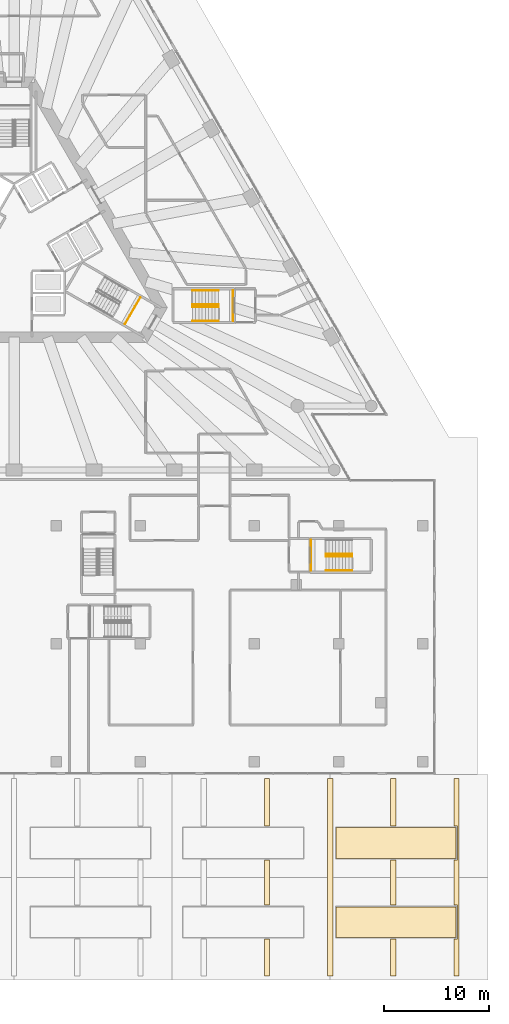
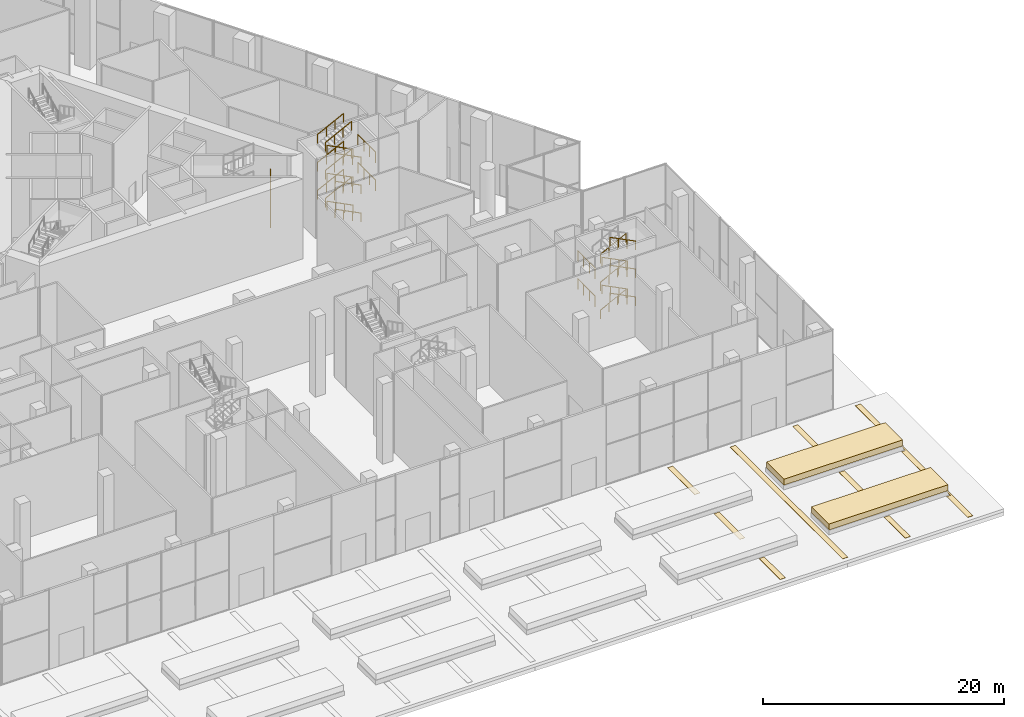
# One storey, part 39 of 41: 26 railings, 10 coverings, 3 elements without a shape of their own.
"""IFC4 building model written with IfcOpenShell, lengths in metres."""

from ifc_helpers import new_model, si_unit, direction, frame, origin, origin_2d, place, context, subcontext, project, spatial, polyline, circle, outline, extrude, material, layer, layer_set, type_object, element, aggregate, save


model = new_model("IFC4")

# Units and contexts
model_context = context("Model", 3, precision=1e-05, world=origin(), true_north=direction((0.0, 1.0)))
body_context = subcontext(model_context, "Body", "Model", "MODEL_VIEW")
ifc_project = project(units=[si_unit("LENGTHUNIT", "METRE"), si_unit("AREAUNIT", "SQUARE_METRE"), si_unit("VOLUMEUNIT", "CUBIC_METRE"), si_unit("PLANEANGLEUNIT", "RADIAN"), si_unit("MASSUNIT", "GRAM", prefix="KILO")], contexts=[model_context])

# Site, building, storey
site_placement = place(None, origin())
site = spatial("IfcSite", under=ifc_project, at=site_placement, CompositionType="ELEMENT")
building_placement = place(site_placement, origin())
building = spatial("IfcBuilding", under=site, at=building_placement, Name="Triada Interchange Tower", CompositionType="ELEMENT")
storey_placement = place(building_placement, origin())
storey = spatial("IfcBuildingStorey", under=building, at=storey_placement, Name="L00", CompositionType="ELEMENT", Elevation=0.0)

# Coverings
ifc_material_1 = material(Name="Concrete paving band", Category="concrete")
ifc_layer_1 = layer(ifc_material_1, 0.02001953125)
ifc_layer_set_1 = layer_set([ifc_layer_1], Name="Paving band 20")
covering_type_1 = type_object("IfcCoveringType", Name="Paving band 20", PredefinedType="FLOORING", material=ifc_layer_set_1)
covering_1_placement = place(storey_placement, origin())
element("IfcCovering", 1, at=covering_1_placement, inside=storey, type_object=covering_type_1, Name="Plaza paving band 28", PredefinedType="FLOORING", context=body_context, shape_type="SweptSolid", body=[
    extrude(outline(polyline([(24.25, -66.10009765625), (23.75, -66.10009765625), (23.75, -69.60009765625), (24.25, -69.60009765625), (24.25, -66.10009765625)])), origin(), (0.0, 0.0, 1.0), 0.02001953125),
])
covering_2_placement = place(storey_placement, origin())
element("IfcCovering", 2, at=covering_2_placement, inside=storey, type_object=covering_type_1, Name="Plaza paving band 29", PredefinedType="FLOORING", context=body_context, shape_type="SweptSolid", body=[
    extrude(outline(polyline([(24.25, -58.60009765625), (23.75, -58.60009765625), (23.75, -62.89990234375), (24.25, -62.89990234375), (24.25, -58.60009765625)])), origin(), (0.0, 0.0, 1.0), 0.02001953125),
])
covering_3_placement = place(storey_placement, origin())
element("IfcCovering", 3, at=covering_3_placement, inside=storey, type_object=covering_type_1, Name="Plaza paving band 30", PredefinedType="FLOORING", context=body_context, shape_type="SweptSolid", body=[
    extrude(outline(polyline([(23.75, -55.39990234375), (24.25, -55.39990234375), (24.25, -50.89990234375), (23.75, -50.89990234375), (23.75, -55.39990234375)])), origin(), (0.0, 0.0, 1.0), 0.02001953125),
])
covering_4_placement = place(storey_placement, origin())
element("IfcCovering", 4, at=covering_4_placement, inside=storey, type_object=covering_type_1, Name="Plaza paving band 31", PredefinedType="FLOORING", context=body_context, shape_type="SweptSolid", body=[
    extrude(outline(polyline([(30.25, -69.60009765625), (30.25, -50.89990234375), (29.75, -50.89990234375), (29.75, -69.60009765625), (30.25, -69.60009765625)])), origin(), (0.0, 0.0, 1.0), 0.02001953125),
])
covering_5_placement = place(storey_placement, origin())
element("IfcCovering", 5, at=covering_5_placement, inside=storey, type_object=covering_type_1, Name="Plaza paving band 32", PredefinedType="FLOORING", context=body_context, shape_type="SweptSolid", body=[
    extrude(outline(polyline([(36.25, -66.10009765625), (35.75, -66.10009765625), (35.75, -69.60009765625), (36.25, -69.60009765625), (36.25, -66.10009765625)])), origin(), (0.0, 0.0, 1.0), 0.02001953125),
])
covering_6_placement = place(storey_placement, origin())
element("IfcCovering", 6, at=covering_6_placement, inside=storey, type_object=covering_type_1, Name="Plaza paving band 33", PredefinedType="FLOORING", context=body_context, shape_type="SweptSolid", body=[
    extrude(outline(polyline([(36.25, -58.60009765625), (35.75, -58.60009765625), (35.75, -62.89990234375), (36.25, -62.89990234375), (36.25, -58.60009765625)])), origin(), (0.0, 0.0, 1.0), 0.02001953125),
])
covering_7_placement = place(storey_placement, origin())
element("IfcCovering", 7, at=covering_7_placement, inside=storey, type_object=covering_type_1, Name="Plaza paving band 34", PredefinedType="FLOORING", context=body_context, shape_type="SweptSolid", body=[
    extrude(outline(polyline([(35.75, -55.39990234375), (36.25, -55.39990234375), (36.25, -50.89990234375), (35.75, -50.89990234375), (35.75, -55.39990234375)])), origin(), (0.0, 0.0, 1.0), 0.02001953125),
])
covering_8_placement = place(storey_placement, origin())
element("IfcCovering", 8, at=covering_8_placement, inside=storey, type_object=covering_type_1, Name="Plaza paving band 35", PredefinedType="FLOORING", context=body_context, shape_type="SweptSolid", body=[
    extrude(outline(polyline([(41.75, -55.39990234375), (42.10009765625, -55.39990234375), (42.10009765625, -58.60009765625), (41.75, -58.60009765625), (41.75, -62.89990234375), (42.10009765625, -62.89990234375), (42.10009765625, -66.10009765625), (41.75, -66.10009765625), (41.75, -69.60009765625), (42.25, -69.60009765625), (42.25, -50.89990234375), (41.75, -50.89990234375), (41.75, -55.39990234375)])), origin(), (0.0, 0.0, 1.0), 0.02001953125),
])
ifc_material_2 = material(Name="Planting soil")
ifc_layer_2 = layer(ifc_material_2, 0.60009765625)
ifc_layer_set_2 = layer_set([ifc_layer_2], Name="Planting bed 600")
covering_type_2 = type_object("IfcCoveringType", Name="Planting bed 600", PredefinedType="FLOORING", material=ifc_layer_set_2)
covering_9_placement = place(storey_placement, frame((0.0, 0.0, 0.449951171875)))
element("IfcCovering", 9, at=covering_9_placement, inside=storey, type_object=covering_type_2, Name="Planting bed PLANTER plaza 06", PredefinedType="FLOORING", context=body_context, shape_type="SweptSolid", body=[
    extrude(outline(polyline([(30.550048828125, -58.449951171875), (41.949951171875, -58.449951171875), (41.949951171875, -55.550048828125), (30.550048828125, -55.550048828125), (30.550048828125, -58.449951171875)])), origin(), (0.0, 0.0, 1.0), 0.60009765625),
])
covering_10_placement = place(storey_placement, frame((0.0, 0.0, 0.449951171875)))
element("IfcCovering", 10, at=covering_10_placement, inside=storey, type_object=covering_type_2, Name="Planting bed PLANTER plaza 12", PredefinedType="FLOORING", context=body_context, shape_type="SweptSolid", body=[
    extrude(outline(polyline([(30.550048828125, -65.949951171875), (41.949951171875, -65.949951171875), (41.949951171875, -63.050048828125), (30.550048828125, -63.050048828125), (30.550048828125, -65.949951171875)])), origin(), (0.0, 0.0, 1.0), 0.60009765625),
])

# Stair, railings
ifc_material_3 = material(Name="Concrete C35/45", Category="concrete")
stair_type = type_object("IfcStairType", Name="HALF TURN STAIR 1400", PredefinedType="HALF_TURN_STAIR", material=ifc_material_3)
stair_1_placement = place(storey_placement, origin())
stair_1 = element("IfcStair", 11, at=stair_1_placement, inside=storey, type_object=stair_type, Name="Exit stair S00-3", PredefinedType="HALF_TURN_STAIR")
ifc_material_4 = material(Name="Stainless steel 1.4301", Category="steel")
railing_type_1 = type_object("IfcRailingType", Name="STAIR GUARD 1100", PredefinedType="GUARDRAIL", material=ifc_material_4)
railing_1_placement = place(storey_placement, frame((10.532958984375, -7.756103515625, 2.83349609375)))
railing_1 = element("IfcRailing", 12, at=railing_1_placement, type_object=railing_type_1, Name="Guard S00-3 1", PredefinedType="GUARDRAIL", context=body_context, shape_type="SweptSolid", body=[
    extrude(circle(Radius=0.02392578125, at=origin_2d()), frame((0.0, 0.0, 1.076171875), z_axis=(0.499877891294, 0.866095891802, 0.0), x_axis=(-0.866095891802, 0.499877891294, 0.0)), (0.0, 0.0, 1.0), 2.900634765625),
    extrude(circle(Radius=0.02099609375, at=origin_2d()), origin(), (0.0, 0.0, 1.0), 1.052001953125),
    extrude(circle(Radius=0.02099609375, at=origin_2d()), frame((0.4833984375, 0.83740234375, 0.0)), (0.0, 0.0, 1.0), 1.052001953125),
    extrude(circle(Radius=0.02099609375, at=origin_2d()), frame((0.966552734375, 1.6748046875, 0.0)), (0.0, 0.0, 1.0), 1.052001953125),
    extrude(circle(Radius=0.02099609375, at=origin_2d()), frame((1.449951171875, 2.51220703125, 0.0)), (0.0, 0.0, 1.0), 1.052001953125),
])
railing_2_placement = place(storey_placement, frame((10.532958984375, -7.756103515625, 5.666748046875)))
railing_2 = element("IfcRailing", 13, at=railing_2_placement, type_object=railing_type_1, Name="Guard S00-3 2", PredefinedType="GUARDRAIL", context=body_context, shape_type="SweptSolid", body=[
    extrude(circle(Radius=0.02392578125, at=origin_2d()), frame((0.0, 0.0, 1.076171875), z_axis=(0.499877891294, 0.866095891802, 0.0), x_axis=(-0.866095891802, 0.499877891294, 0.0)), (0.0, 0.0, 1.0), 2.900634765625),
    extrude(circle(Radius=0.02099609375, at=origin_2d()), origin(), (0.0, 0.0, 1.0), 1.052001953125),
    extrude(circle(Radius=0.02099609375, at=origin_2d()), frame((0.4833984375, 0.83740234375, 0.0)), (0.0, 0.0, 1.0), 1.052001953125),
    extrude(circle(Radius=0.02099609375, at=origin_2d()), frame((0.966552734375, 1.6748046875, 0.0)), (0.0, 0.0, 1.0), 1.052001953125),
    extrude(circle(Radius=0.02099609375, at=origin_2d()), frame((1.449951171875, 2.51220703125, 0.0)), (0.0, 0.0, 1.0), 1.052001953125),
])
aggregate(stair_1, [railing_1, railing_2])

stair_2_placement = place(storey_placement, origin())
stair_2 = element("IfcStair", 14, at=stair_2_placement, inside=storey, type_object=stair_type, Name="Exit stair S00-7", PredefinedType="HALF_TURN_STAIR")
railing_3_placement = place(storey_placement, frame((20.800048828125, -7.449951171875, 2.83349609375)))
railing_3 = element("IfcRailing", 15, at=railing_3_placement, type_object=railing_type_1, Name="Guard S00-7 1", PredefinedType="GUARDRAIL", context=body_context, shape_type="SweptSolid", body=[
    extrude(circle(Radius=0.02392578125, at=origin_2d()), frame((0.0, 0.0, 1.076171875), z_axis=(0.0, 1.0, 0.0), x_axis=(-1.0, 0.0, 0.0)), (0.0, 0.0, 1.0), 2.89990234375),
    extrude(circle(Radius=0.02099609375, at=origin_2d()), origin(), (0.0, 0.0, 1.0), 1.052001953125),
    extrude(circle(Radius=0.02099609375, at=origin_2d()), frame((0.0, 0.966552734375, 0.0)), (0.0, 0.0, 1.0), 1.052001953125),
    extrude(circle(Radius=0.02099609375, at=origin_2d()), frame((0.0, 1.933349609375, 0.0)), (0.0, 0.0, 1.0), 1.052001953125),
    extrude(circle(Radius=0.02099609375, at=origin_2d()), frame((0.0, 2.89990234375, 0.0)), (0.0, 0.0, 1.0), 1.052001953125),
])
railing_4_placement = place(storey_placement, frame((20.800048828125, -7.449951171875, 5.666748046875)))
railing_4 = element("IfcRailing", 16, at=railing_4_placement, type_object=railing_type_1, Name="Guard S00-7 2", PredefinedType="GUARDRAIL", context=body_context, shape_type="SweptSolid", body=[
    extrude(circle(Radius=0.02392578125, at=origin_2d()), frame((0.0, 0.0, 1.076171875), z_axis=(0.0, 1.0, 0.0), x_axis=(-1.0, 0.0, 0.0)), (0.0, 0.0, 1.0), 2.89990234375),
    extrude(circle(Radius=0.02099609375, at=origin_2d()), origin(), (0.0, 0.0, 1.0), 1.052001953125),
    extrude(circle(Radius=0.02099609375, at=origin_2d()), frame((0.0, 0.966552734375, 0.0)), (0.0, 0.0, 1.0), 1.052001953125),
    extrude(circle(Radius=0.02099609375, at=origin_2d()), frame((0.0, 1.933349609375, 0.0)), (0.0, 0.0, 1.0), 1.052001953125),
    extrude(circle(Radius=0.02099609375, at=origin_2d()), frame((0.0, 2.89990234375, 0.0)), (0.0, 0.0, 1.0), 1.052001953125),
])

stair_3_placement = place(storey_placement, origin())
stair_3 = element("IfcStair", 17, at=stair_3_placement, inside=storey, type_object=stair_type, Name="Exit stair S00-9", PredefinedType="HALF_TURN_STAIR")
railing_5_placement = place(storey_placement, frame((28.199951171875, -28.25, 2.83349609375)))
railing_5 = element("IfcRailing", 18, at=railing_5_placement, type_object=railing_type_1, Name="Guard S00-9 1", PredefinedType="GUARDRAIL", context=body_context, shape_type="SweptSolid", body=[
    extrude(circle(Radius=0.02392578125, at=origin_2d()), frame((0.0, 0.0, 1.076171875), z_axis=(0.0, -1.0, 0.0), x_axis=(1.0, 0.0, 0.0)), (0.0, 0.0, 1.0), 2.89990234375),
    extrude(circle(Radius=0.02099609375, at=origin_2d()), origin(), (0.0, 0.0, 1.0), 1.052001953125),
    extrude(circle(Radius=0.02099609375, at=origin_2d()), frame((0.0, -0.966552734375, 0.0)), (0.0, 0.0, 1.0), 1.052001953125),
    extrude(circle(Radius=0.02099609375, at=origin_2d()), frame((0.0, -1.933349609375, 0.0)), (0.0, 0.0, 1.0), 1.052001953125),
    extrude(circle(Radius=0.02099609375, at=origin_2d()), frame((0.0, -2.89990234375, 0.0)), (0.0, 0.0, 1.0), 1.052001953125),
])
railing_6_placement = place(storey_placement, frame((28.199951171875, -28.25, 5.666748046875)))
railing_6 = element("IfcRailing", 19, at=railing_6_placement, type_object=railing_type_1, Name="Guard S00-9 2", PredefinedType="GUARDRAIL", context=body_context, shape_type="SweptSolid", body=[
    extrude(circle(Radius=0.02392578125, at=origin_2d()), frame((0.0, 0.0, 1.076171875), z_axis=(0.0, -1.0, 0.0), x_axis=(1.0, 0.0, 0.0)), (0.0, 0.0, 1.0), 2.89990234375),
    extrude(circle(Radius=0.02099609375, at=origin_2d()), origin(), (0.0, 0.0, 1.0), 1.052001953125),
    extrude(circle(Radius=0.02099609375, at=origin_2d()), frame((0.0, -0.966552734375, 0.0)), (0.0, 0.0, 1.0), 1.052001953125),
    extrude(circle(Radius=0.02099609375, at=origin_2d()), frame((0.0, -1.933349609375, 0.0)), (0.0, 0.0, 1.0), 1.052001953125),
    extrude(circle(Radius=0.02099609375, at=origin_2d()), frame((0.0, -2.89990234375, 0.0)), (0.0, 0.0, 1.0), 1.052001953125),
])

# Railing
railing_type_2 = type_object("IfcRailingType", Name="STAIR HANDRAIL 900", PredefinedType="HANDRAIL", material=ifc_material_4)
railing_7_placement = place(storey_placement, frame((19.39990234375, -7.449951171875, 0.157470703125)))
railing_7 = element("IfcRailing", 20, at=railing_7_placement, type_object=railing_type_2, Name="Handrail S00-7 1W", PredefinedType="HANDRAIL", context=body_context, shape_type="SweptSolid", body=[
    extrude(circle(Radius=0.02392578125, at=origin_2d()), frame((0.0, 0.0, 0.8759765625), z_axis=(-0.891636241932, 0.0, 0.452752484336), x_axis=(0.0, -1.0, 0.0)), (0.0, 0.0, 1.0), 2.781494140625),
    extrude(circle(Radius=0.02099609375, at=origin_2d()), origin(), (0.0, 0.0, 1.0), 0.851806640625),
    extrude(circle(Radius=0.02099609375, at=origin_2d()), frame((-0.82666015625, 0.0, 0.419677734375)), (0.0, 0.0, 1.0), 0.851806640625),
    extrude(circle(Radius=0.02099609375, at=origin_2d()), frame((-1.6533203125, 0.0, 0.839599609375)), (0.0, 0.0, 1.0), 0.851806640625),
    extrude(circle(Radius=0.02099609375, at=origin_2d()), frame((-2.47998046875, 0.0, 1.25927734375)), (0.0, 0.0, 1.0), 0.851806640625),
])

railing_8_placement = place(storey_placement, frame((19.39990234375, -6.1201171875, 0.157470703125)))
railing_8 = element("IfcRailing", 21, at=railing_8_placement, type_object=railing_type_2, Name="Handrail S00-7 1C", PredefinedType="HANDRAIL", context=body_context, shape_type="SweptSolid", body=[
    extrude(circle(Radius=0.02392578125, at=origin_2d()), frame((0.0, 0.0, 0.8759765625), z_axis=(-0.891636241932, 0.0, 0.452752484336), x_axis=(0.0, -1.0, 0.0)), (0.0, 0.0, 1.0), 2.781494140625),
    extrude(circle(Radius=0.02099609375, at=origin_2d()), origin(), (0.0, 0.0, 1.0), 0.851806640625),
    extrude(circle(Radius=0.02099609375, at=origin_2d()), frame((-0.82666015625, 0.0, 0.419677734375)), (0.0, 0.0, 1.0), 0.851806640625),
    extrude(circle(Radius=0.02099609375, at=origin_2d()), frame((-1.6533203125, 0.0, 0.839599609375)), (0.0, 0.0, 1.0), 0.851806640625),
    extrude(circle(Radius=0.02099609375, at=origin_2d()), frame((-2.47998046875, 0.0, 1.25927734375)), (0.0, 0.0, 1.0), 0.851806640625),
])

railing_9_placement = place(storey_placement, frame((16.919921875, -4.550048828125, 1.57421875)))
railing_9 = element("IfcRailing", 22, at=railing_9_placement, type_object=railing_type_2, Name="Handrail S00-7 2W", PredefinedType="HANDRAIL", context=body_context, shape_type="SweptSolid", body=[
    extrude(circle(Radius=0.02392578125, at=origin_2d()), frame((0.0, 0.0, 0.8759765625), z_axis=(0.891636241932, 0.0, 0.452752484336), x_axis=(0.0, 1.0, 0.0)), (0.0, 0.0, 1.0), 2.781494140625),
    extrude(circle(Radius=0.02099609375, at=origin_2d()), origin(), (0.0, 0.0, 1.0), 0.851806640625),
    extrude(circle(Radius=0.02099609375, at=origin_2d()), frame((0.82666015625, 0.0, 0.419677734375)), (0.0, 0.0, 1.0), 0.851806640625),
    extrude(circle(Radius=0.02099609375, at=origin_2d()), frame((1.6533203125, 0.0, 0.839599609375)), (0.0, 0.0, 1.0), 0.851806640625),
    extrude(circle(Radius=0.02099609375, at=origin_2d()), frame((2.47998046875, 0.0, 1.25927734375)), (0.0, 0.0, 1.0), 0.851806640625),
])

railing_10_placement = place(storey_placement, frame((16.919921875, -5.8798828125, 1.57421875)))
railing_10 = element("IfcRailing", 23, at=railing_10_placement, type_object=railing_type_2, Name="Handrail S00-7 2C", PredefinedType="HANDRAIL", context=body_context, shape_type="SweptSolid", body=[
    extrude(circle(Radius=0.02392578125, at=origin_2d()), frame((0.0, 0.0, 0.8759765625), z_axis=(0.891636241932, 0.0, 0.452752484336), x_axis=(0.0, 1.0, 0.0)), (0.0, 0.0, 1.0), 2.781494140625),
    extrude(circle(Radius=0.02099609375, at=origin_2d()), origin(), (0.0, 0.0, 1.0), 0.851806640625),
    extrude(circle(Radius=0.02099609375, at=origin_2d()), frame((0.82666015625, 0.0, 0.419677734375)), (0.0, 0.0, 1.0), 0.851806640625),
    extrude(circle(Radius=0.02099609375, at=origin_2d()), frame((1.6533203125, 0.0, 0.839599609375)), (0.0, 0.0, 1.0), 0.851806640625),
    extrude(circle(Radius=0.02099609375, at=origin_2d()), frame((2.47998046875, 0.0, 1.25927734375)), (0.0, 0.0, 1.0), 0.851806640625),
])

railing_11_placement = place(storey_placement, frame((19.39990234375, -7.449951171875, 2.99072265625)))
railing_11 = element("IfcRailing", 24, at=railing_11_placement, type_object=railing_type_2, Name="Handrail S00-7 3W", PredefinedType="HANDRAIL", context=body_context, shape_type="SweptSolid", body=[
    extrude(circle(Radius=0.02392578125, at=origin_2d()), frame((0.0, 0.0, 0.8759765625), z_axis=(-0.891636241932, 0.0, 0.452752484336), x_axis=(0.0, -1.0, 0.0)), (0.0, 0.0, 1.0), 2.781494140625),
    extrude(circle(Radius=0.02099609375, at=origin_2d()), origin(), (0.0, 0.0, 1.0), 0.851806640625),
    extrude(circle(Radius=0.02099609375, at=origin_2d()), frame((-0.82666015625, 0.0, 0.419677734375)), (0.0, 0.0, 1.0), 0.851806640625),
    extrude(circle(Radius=0.02099609375, at=origin_2d()), frame((-1.6533203125, 0.0, 0.839599609375)), (0.0, 0.0, 1.0), 0.851806640625),
    extrude(circle(Radius=0.02099609375, at=origin_2d()), frame((-2.47998046875, 0.0, 1.25927734375)), (0.0, 0.0, 1.0), 0.851806640625),
])

railing_12_placement = place(storey_placement, frame((19.39990234375, -6.1201171875, 2.99072265625)))
railing_12 = element("IfcRailing", 25, at=railing_12_placement, type_object=railing_type_2, Name="Handrail S00-7 3C", PredefinedType="HANDRAIL", context=body_context, shape_type="SweptSolid", body=[
    extrude(circle(Radius=0.02392578125, at=origin_2d()), frame((0.0, 0.0, 0.8759765625), z_axis=(-0.891636241932, 0.0, 0.452752484336), x_axis=(0.0, -1.0, 0.0)), (0.0, 0.0, 1.0), 2.781494140625),
    extrude(circle(Radius=0.02099609375, at=origin_2d()), origin(), (0.0, 0.0, 1.0), 0.851806640625),
    extrude(circle(Radius=0.02099609375, at=origin_2d()), frame((-0.82666015625, 0.0, 0.419677734375)), (0.0, 0.0, 1.0), 0.851806640625),
    extrude(circle(Radius=0.02099609375, at=origin_2d()), frame((-1.6533203125, 0.0, 0.839599609375)), (0.0, 0.0, 1.0), 0.851806640625),
    extrude(circle(Radius=0.02099609375, at=origin_2d()), frame((-2.47998046875, 0.0, 1.25927734375)), (0.0, 0.0, 1.0), 0.851806640625),
])

railing_13_placement = place(storey_placement, frame((16.919921875, -4.550048828125, 4.407470703125)))
railing_13 = element("IfcRailing", 26, at=railing_13_placement, type_object=railing_type_2, Name="Handrail S00-7 4W", PredefinedType="HANDRAIL", context=body_context, shape_type="SweptSolid", body=[
    extrude(circle(Radius=0.02392578125, at=origin_2d()), frame((0.0, 0.0, 0.8759765625), z_axis=(0.891636241932, 0.0, 0.452752484336), x_axis=(0.0, 1.0, 0.0)), (0.0, 0.0, 1.0), 2.781494140625),
    extrude(circle(Radius=0.02099609375, at=origin_2d()), origin(), (0.0, 0.0, 1.0), 0.851806640625),
    extrude(circle(Radius=0.02099609375, at=origin_2d()), frame((0.82666015625, 0.0, 0.419677734375)), (0.0, 0.0, 1.0), 0.851806640625),
    extrude(circle(Radius=0.02099609375, at=origin_2d()), frame((1.6533203125, 0.0, 0.839599609375)), (0.0, 0.0, 1.0), 0.851806640625),
    extrude(circle(Radius=0.02099609375, at=origin_2d()), frame((2.47998046875, 0.0, 1.25927734375)), (0.0, 0.0, 1.0), 0.851806640625),
])

railing_14_placement = place(storey_placement, frame((16.919921875, -5.8798828125, 4.407470703125)))
railing_14 = element("IfcRailing", 27, at=railing_14_placement, type_object=railing_type_2, Name="Handrail S00-7 4C", PredefinedType="HANDRAIL", context=body_context, shape_type="SweptSolid", body=[
    extrude(circle(Radius=0.02392578125, at=origin_2d()), frame((0.0, 0.0, 0.8759765625), z_axis=(0.891636241932, 0.0, 0.452752484336), x_axis=(0.0, 1.0, 0.0)), (0.0, 0.0, 1.0), 2.781494140625),
    extrude(circle(Radius=0.02099609375, at=origin_2d()), origin(), (0.0, 0.0, 1.0), 0.851806640625),
    extrude(circle(Radius=0.02099609375, at=origin_2d()), frame((0.82666015625, 0.0, 0.419677734375)), (0.0, 0.0, 1.0), 0.851806640625),
    extrude(circle(Radius=0.02099609375, at=origin_2d()), frame((1.6533203125, 0.0, 0.839599609375)), (0.0, 0.0, 1.0), 0.851806640625),
    extrude(circle(Radius=0.02099609375, at=origin_2d()), frame((2.47998046875, 0.0, 1.25927734375)), (0.0, 0.0, 1.0), 0.851806640625),
])

railing_15_placement = place(storey_placement, frame((19.39990234375, -7.449951171875, 5.82421875)))
railing_15 = element("IfcRailing", 28, at=railing_15_placement, type_object=railing_type_2, Name="Handrail S00-7 5W", PredefinedType="HANDRAIL", context=body_context, shape_type="SweptSolid", body=[
    extrude(circle(Radius=0.02392578125, at=origin_2d()), frame((0.0, 0.0, 0.8759765625), z_axis=(-0.891636241932, 0.0, 0.452752484336), x_axis=(0.0, -1.0, 0.0)), (0.0, 0.0, 1.0), 2.781494140625),
    extrude(circle(Radius=0.02099609375, at=origin_2d()), origin(), (0.0, 0.0, 1.0), 0.851806640625),
    extrude(circle(Radius=0.02099609375, at=origin_2d()), frame((-0.82666015625, 0.0, 0.419677734375)), (0.0, 0.0, 1.0), 0.851806640625),
    extrude(circle(Radius=0.02099609375, at=origin_2d()), frame((-1.6533203125, 0.0, 0.839599609375)), (0.0, 0.0, 1.0), 0.851806640625),
    extrude(circle(Radius=0.02099609375, at=origin_2d()), frame((-2.47998046875, 0.0, 1.25927734375)), (0.0, 0.0, 1.0), 0.851806640625),
])

railing_16_placement = place(storey_placement, frame((19.39990234375, -6.1201171875, 5.82421875)))
railing_16 = element("IfcRailing", 29, at=railing_16_placement, type_object=railing_type_2, Name="Handrail S00-7 5C", PredefinedType="HANDRAIL", context=body_context, shape_type="SweptSolid", body=[
    extrude(circle(Radius=0.02392578125, at=origin_2d()), frame((0.0, 0.0, 0.8759765625), z_axis=(-0.891636241932, 0.0, 0.452752484336), x_axis=(0.0, -1.0, 0.0)), (0.0, 0.0, 1.0), 2.781494140625),
    extrude(circle(Radius=0.02099609375, at=origin_2d()), origin(), (0.0, 0.0, 1.0), 0.851806640625),
    extrude(circle(Radius=0.02099609375, at=origin_2d()), frame((-0.82666015625, 0.0, 0.419677734375)), (0.0, 0.0, 1.0), 0.851806640625),
    extrude(circle(Radius=0.02099609375, at=origin_2d()), frame((-1.6533203125, 0.0, 0.839599609375)), (0.0, 0.0, 1.0), 0.851806640625),
    extrude(circle(Radius=0.02099609375, at=origin_2d()), frame((-2.47998046875, 0.0, 1.25927734375)), (0.0, 0.0, 1.0), 0.851806640625),
])

railing_17_placement = place(storey_placement, frame((16.919921875, -4.550048828125, 7.240966796875)))
railing_17 = element("IfcRailing", 30, at=railing_17_placement, type_object=railing_type_2, Name="Handrail S00-7 6W", PredefinedType="HANDRAIL", context=body_context, shape_type="SweptSolid", body=[
    extrude(circle(Radius=0.02392578125, at=origin_2d()), frame((0.0, 0.0, 0.8759765625), z_axis=(0.891636241932, 0.0, 0.452752484336), x_axis=(0.0, 1.0, 0.0)), (0.0, 0.0, 1.0), 2.781494140625),
    extrude(circle(Radius=0.02099609375, at=origin_2d()), origin(), (0.0, 0.0, 1.0), 0.851806640625),
    extrude(circle(Radius=0.02099609375, at=origin_2d()), frame((0.82666015625, 0.0, 0.419677734375)), (0.0, 0.0, 1.0), 0.851806640625),
    extrude(circle(Radius=0.02099609375, at=origin_2d()), frame((1.6533203125, 0.0, 0.839599609375)), (0.0, 0.0, 1.0), 0.851806640625),
    extrude(circle(Radius=0.02099609375, at=origin_2d()), frame((2.47998046875, 0.0, 1.25927734375)), (0.0, 0.0, 1.0), 0.851806640625),
])

railing_18_placement = place(storey_placement, frame((16.919921875, -5.8798828125, 7.240966796875)))
railing_18 = element("IfcRailing", 31, at=railing_18_placement, type_object=railing_type_2, Name="Handrail S00-7 6C", PredefinedType="HANDRAIL", context=body_context, shape_type="SweptSolid", body=[
    extrude(circle(Radius=0.02392578125, at=origin_2d()), frame((0.0, 0.0, 0.8759765625), z_axis=(0.891636241932, 0.0, 0.452752484336), x_axis=(0.0, 1.0, 0.0)), (0.0, 0.0, 1.0), 2.781494140625),
    extrude(circle(Radius=0.02099609375, at=origin_2d()), origin(), (0.0, 0.0, 1.0), 0.851806640625),
    extrude(circle(Radius=0.02099609375, at=origin_2d()), frame((0.82666015625, 0.0, 0.419677734375)), (0.0, 0.0, 1.0), 0.851806640625),
    extrude(circle(Radius=0.02099609375, at=origin_2d()), frame((1.6533203125, 0.0, 0.839599609375)), (0.0, 0.0, 1.0), 0.851806640625),
    extrude(circle(Radius=0.02099609375, at=origin_2d()), frame((2.47998046875, 0.0, 1.25927734375)), (0.0, 0.0, 1.0), 0.851806640625),
])

aggregate(stair_2, [railing_7, railing_8, railing_9, railing_10, railing_11, railing_12, railing_13, railing_14, railing_15, railing_16, railing_17, railing_18, railing_3, railing_4])

railing_19_placement = place(storey_placement, frame((29.60009765625, -29.580078125, 0.157470703125)))
railing_19 = element("IfcRailing", 32, at=railing_19_placement, type_object=railing_type_2, Name="Handrail S00-9 1C", PredefinedType="HANDRAIL", context=body_context, shape_type="SweptSolid", body=[
    extrude(circle(Radius=0.02392578125, at=origin_2d()), frame((0.0, 0.0, 0.8759765625), z_axis=(0.891636241932, 0.0, 0.452752484336), x_axis=(0.0, 1.0, 0.0)), (0.0, 0.0, 1.0), 2.781494140625),
    extrude(circle(Radius=0.02099609375, at=origin_2d()), origin(), (0.0, 0.0, 1.0), 0.851806640625),
    extrude(circle(Radius=0.02099609375, at=origin_2d()), frame((0.82666015625, 0.0, 0.419677734375)), (0.0, 0.0, 1.0), 0.851806640625),
    extrude(circle(Radius=0.02099609375, at=origin_2d()), frame((1.6533203125, 0.0, 0.839599609375)), (0.0, 0.0, 1.0), 0.851806640625),
    extrude(circle(Radius=0.02099609375, at=origin_2d()), frame((2.47998046875, 0.0, 1.25927734375)), (0.0, 0.0, 1.0), 0.851806640625),
])

railing_20_placement = place(storey_placement, frame((32.080078125, -31.14990234375, 1.57421875)))
railing_20 = element("IfcRailing", 33, at=railing_20_placement, type_object=railing_type_2, Name="Handrail S00-9 2W", PredefinedType="HANDRAIL", context=body_context, shape_type="SweptSolid", body=[
    extrude(circle(Radius=0.02392578125, at=origin_2d()), frame((0.0, 0.0, 0.8759765625), z_axis=(-0.891636241932, 0.0, 0.452752484336), x_axis=(0.0, -1.0, 0.0)), (0.0, 0.0, 1.0), 2.781494140625),
    extrude(circle(Radius=0.02099609375, at=origin_2d()), origin(), (0.0, 0.0, 1.0), 0.851806640625),
    extrude(circle(Radius=0.02099609375, at=origin_2d()), frame((-0.82666015625, 0.0, 0.419677734375)), (0.0, 0.0, 1.0), 0.851806640625),
    extrude(circle(Radius=0.02099609375, at=origin_2d()), frame((-1.6533203125, 0.0, 0.839599609375)), (0.0, 0.0, 1.0), 0.851806640625),
    extrude(circle(Radius=0.02099609375, at=origin_2d()), frame((-2.47998046875, 0.0, 1.25927734375)), (0.0, 0.0, 1.0), 0.851806640625),
])

railing_21_placement = place(storey_placement, frame((32.080078125, -29.820068359375, 1.57421875)))
railing_21 = element("IfcRailing", 34, at=railing_21_placement, type_object=railing_type_2, Name="Handrail S00-9 2C", PredefinedType="HANDRAIL", context=body_context, shape_type="SweptSolid", body=[
    extrude(circle(Radius=0.02392578125, at=origin_2d()), frame((0.0, 0.0, 0.8759765625), z_axis=(-0.891636241932, 0.0, 0.452752484336), x_axis=(0.0, -1.0, 0.0)), (0.0, 0.0, 1.0), 2.781494140625),
    extrude(circle(Radius=0.02099609375, at=origin_2d()), origin(), (0.0, 0.0, 1.0), 0.851806640625),
    extrude(circle(Radius=0.02099609375, at=origin_2d()), frame((-0.82666015625, 0.0, 0.419677734375)), (0.0, 0.0, 1.0), 0.851806640625),
    extrude(circle(Radius=0.02099609375, at=origin_2d()), frame((-1.6533203125, 0.0, 0.839599609375)), (0.0, 0.0, 1.0), 0.851806640625),
    extrude(circle(Radius=0.02099609375, at=origin_2d()), frame((-2.47998046875, 0.0, 1.25927734375)), (0.0, 0.0, 1.0), 0.851806640625),
])

railing_22_placement = place(storey_placement, frame((29.60009765625, -29.580078125, 2.99072265625)))
railing_22 = element("IfcRailing", 35, at=railing_22_placement, type_object=railing_type_2, Name="Handrail S00-9 3C", PredefinedType="HANDRAIL", context=body_context, shape_type="SweptSolid", body=[
    extrude(circle(Radius=0.02392578125, at=origin_2d()), frame((0.0, 0.0, 0.8759765625), z_axis=(0.891636241932, 0.0, 0.452752484336), x_axis=(0.0, 1.0, 0.0)), (0.0, 0.0, 1.0), 2.781494140625),
    extrude(circle(Radius=0.02099609375, at=origin_2d()), origin(), (0.0, 0.0, 1.0), 0.851806640625),
    extrude(circle(Radius=0.02099609375, at=origin_2d()), frame((0.82666015625, 0.0, 0.419677734375)), (0.0, 0.0, 1.0), 0.851806640625),
    extrude(circle(Radius=0.02099609375, at=origin_2d()), frame((1.6533203125, 0.0, 0.839599609375)), (0.0, 0.0, 1.0), 0.851806640625),
    extrude(circle(Radius=0.02099609375, at=origin_2d()), frame((2.47998046875, 0.0, 1.25927734375)), (0.0, 0.0, 1.0), 0.851806640625),
])

railing_23_placement = place(storey_placement, frame((32.080078125, -31.14990234375, 4.407470703125)))
railing_23 = element("IfcRailing", 36, at=railing_23_placement, type_object=railing_type_2, Name="Handrail S00-9 4W", PredefinedType="HANDRAIL", context=body_context, shape_type="SweptSolid", body=[
    extrude(circle(Radius=0.02392578125, at=origin_2d()), frame((0.0, 0.0, 0.8759765625), z_axis=(-0.891636241932, 0.0, 0.452752484336), x_axis=(0.0, -1.0, 0.0)), (0.0, 0.0, 1.0), 2.781494140625),
    extrude(circle(Radius=0.02099609375, at=origin_2d()), origin(), (0.0, 0.0, 1.0), 0.851806640625),
    extrude(circle(Radius=0.02099609375, at=origin_2d()), frame((-0.82666015625, 0.0, 0.419677734375)), (0.0, 0.0, 1.0), 0.851806640625),
    extrude(circle(Radius=0.02099609375, at=origin_2d()), frame((-1.6533203125, 0.0, 0.839599609375)), (0.0, 0.0, 1.0), 0.851806640625),
    extrude(circle(Radius=0.02099609375, at=origin_2d()), frame((-2.47998046875, 0.0, 1.25927734375)), (0.0, 0.0, 1.0), 0.851806640625),
])

railing_24_placement = place(storey_placement, frame((32.080078125, -29.820068359375, 4.407470703125)))
railing_24 = element("IfcRailing", 37, at=railing_24_placement, type_object=railing_type_2, Name="Handrail S00-9 4C", PredefinedType="HANDRAIL", context=body_context, shape_type="SweptSolid", body=[
    extrude(circle(Radius=0.02392578125, at=origin_2d()), frame((0.0, 0.0, 0.8759765625), z_axis=(-0.891636241932, 0.0, 0.452752484336), x_axis=(0.0, -1.0, 0.0)), (0.0, 0.0, 1.0), 2.781494140625),
    extrude(circle(Radius=0.02099609375, at=origin_2d()), origin(), (0.0, 0.0, 1.0), 0.851806640625),
    extrude(circle(Radius=0.02099609375, at=origin_2d()), frame((-0.82666015625, 0.0, 0.419677734375)), (0.0, 0.0, 1.0), 0.851806640625),
    extrude(circle(Radius=0.02099609375, at=origin_2d()), frame((-1.6533203125, 0.0, 0.839599609375)), (0.0, 0.0, 1.0), 0.851806640625),
    extrude(circle(Radius=0.02099609375, at=origin_2d()), frame((-2.47998046875, 0.0, 1.25927734375)), (0.0, 0.0, 1.0), 0.851806640625),
])

railing_25_placement = place(storey_placement, frame((29.60009765625, -29.580078125, 5.82421875)))
railing_25 = element("IfcRailing", 38, at=railing_25_placement, type_object=railing_type_2, Name="Handrail S00-9 5C", PredefinedType="HANDRAIL", context=body_context, shape_type="SweptSolid", body=[
    extrude(circle(Radius=0.02392578125, at=origin_2d()), frame((0.0, 0.0, 0.8759765625), z_axis=(0.891636241932, 0.0, 0.452752484336), x_axis=(0.0, 1.0, 0.0)), (0.0, 0.0, 1.0), 2.781494140625),
    extrude(circle(Radius=0.02099609375, at=origin_2d()), origin(), (0.0, 0.0, 1.0), 0.851806640625),
    extrude(circle(Radius=0.02099609375, at=origin_2d()), frame((0.82666015625, 0.0, 0.419677734375)), (0.0, 0.0, 1.0), 0.851806640625),
    extrude(circle(Radius=0.02099609375, at=origin_2d()), frame((1.6533203125, 0.0, 0.839599609375)), (0.0, 0.0, 1.0), 0.851806640625),
    extrude(circle(Radius=0.02099609375, at=origin_2d()), frame((2.47998046875, 0.0, 1.25927734375)), (0.0, 0.0, 1.0), 0.851806640625),
])

railing_26_placement = place(storey_placement, frame((32.080078125, -31.14990234375, 7.240966796875)))
railing_26 = element("IfcRailing", 39, at=railing_26_placement, type_object=railing_type_2, Name="Handrail S00-9 6W", PredefinedType="HANDRAIL", context=body_context, shape_type="SweptSolid", body=[
    extrude(circle(Radius=0.02392578125, at=origin_2d()), frame((0.0, 0.0, 0.8759765625), z_axis=(-0.891636241932, 0.0, 0.452752484336), x_axis=(0.0, -1.0, 0.0)), (0.0, 0.0, 1.0), 2.781494140625),
    extrude(circle(Radius=0.02099609375, at=origin_2d()), origin(), (0.0, 0.0, 1.0), 0.851806640625),
    extrude(circle(Radius=0.02099609375, at=origin_2d()), frame((-0.82666015625, 0.0, 0.419677734375)), (0.0, 0.0, 1.0), 0.851806640625),
    extrude(circle(Radius=0.02099609375, at=origin_2d()), frame((-1.6533203125, 0.0, 0.839599609375)), (0.0, 0.0, 1.0), 0.851806640625),
    extrude(circle(Radius=0.02099609375, at=origin_2d()), frame((-2.47998046875, 0.0, 1.25927734375)), (0.0, 0.0, 1.0), 0.851806640625),
])

aggregate(stair_3, [railing_19, railing_20, railing_21, railing_22, railing_23, railing_24, railing_25, railing_26, railing_5, railing_6])

save(model, "model.ifc")
